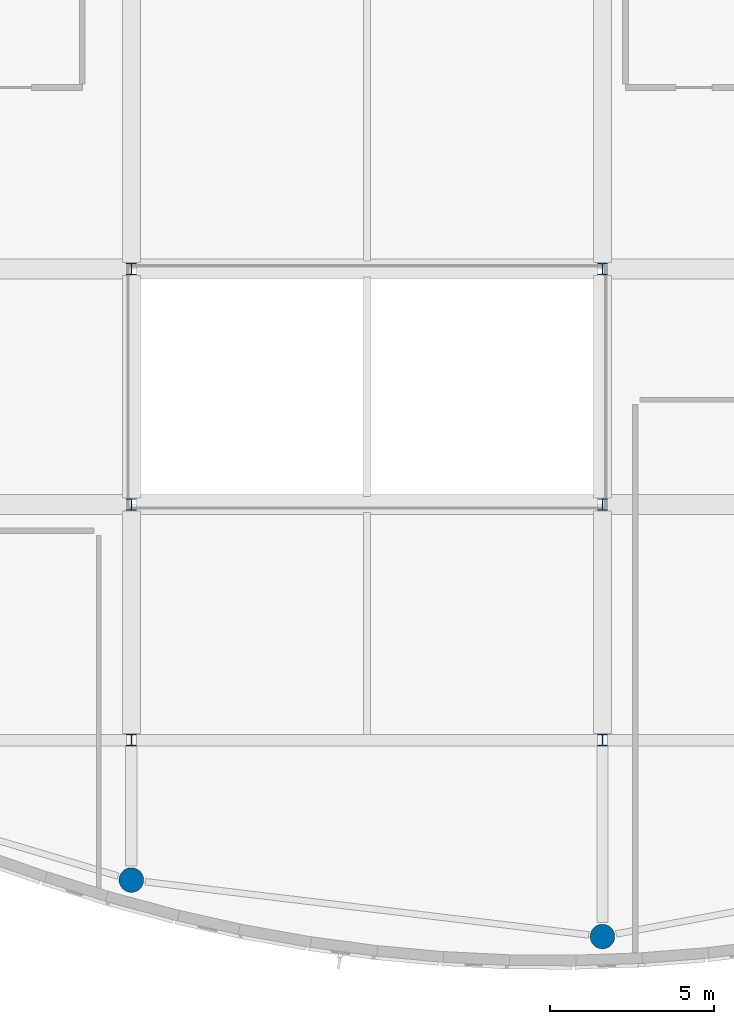
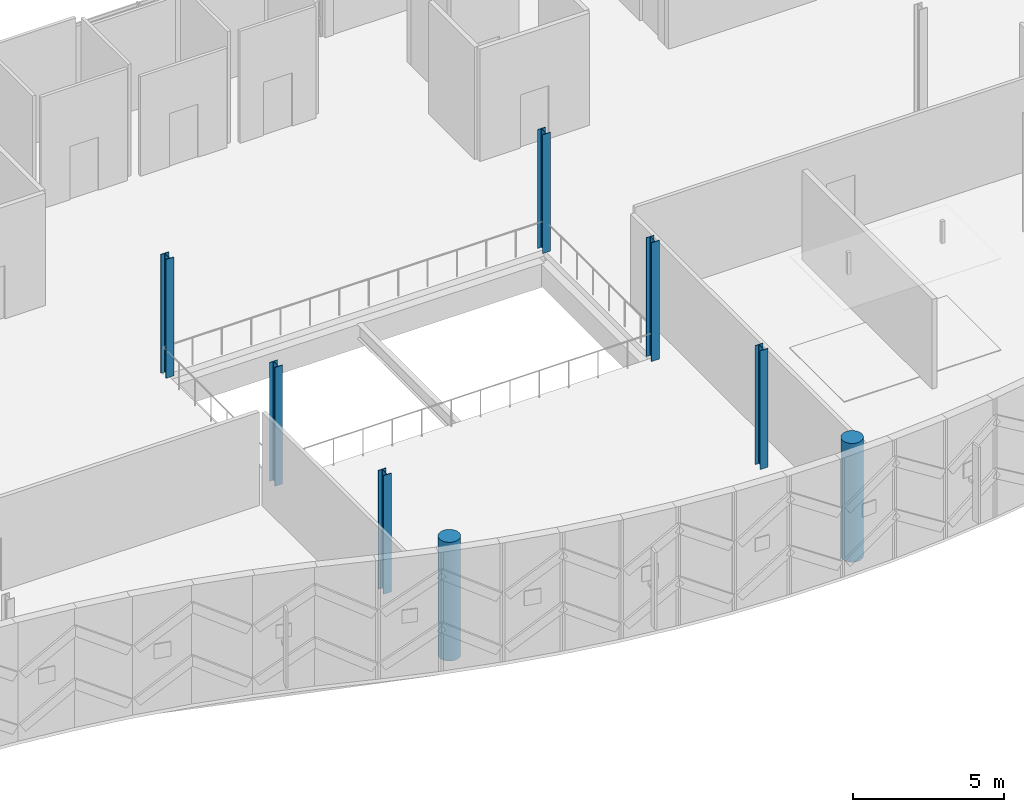
# One storey, part 2 of 193: 8 columns.
"""IFC4 building model written with IfcOpenShell, lengths in metres."""

from ifc_helpers import new_model, si_unit, direction, frame, origin, origin_2d, place, context, subcontext, project, spatial, circle, i_section, extrude, material, material_profile, profile_set, type_object, element, save


model = new_model("IFC4")

# Units and contexts
model_context = context("Model", 3, precision=1e-05, world=origin(), true_north=direction((0.0, 1.0)))
body_context = subcontext(model_context, "Body", "Model", "MODEL_VIEW")
ifc_project = project(units=[si_unit("LENGTHUNIT", "METRE"), si_unit("AREAUNIT", "SQUARE_METRE"), si_unit("VOLUMEUNIT", "CUBIC_METRE"), si_unit("PLANEANGLEUNIT", "RADIAN"), si_unit("MASSUNIT", "GRAM", prefix="KILO")], contexts=[model_context])

# Site, building, storey
site_placement = place(None, origin())
site = spatial("IfcSite", under=ifc_project, at=site_placement, CompositionType="ELEMENT")
building_placement = place(site_placement, origin())
building = spatial("IfcBuilding", under=site, at=building_placement, Name="Cendralis Lancet Convention Centre", CompositionType="ELEMENT")
storey_placement = place(building_placement, frame((0.0, 0.0, 10.199951171875)))
storey = spatial("IfcBuildingStorey", under=building, at=storey_placement, Name="L02", CompositionType="ELEMENT", Elevation=10.199951171875)

# Columns
ifc_material_1 = material(Name="Concrete G40 (C40/50)", Category="concrete")
ifc_material_profile_1 = material_profile(ifc_material_1, circle(Radius=0.375, at=origin_2d()), Name="RC D750")
ifc_profile_set_1 = profile_set([ifc_material_profile_1], Name="Concrete G40 (C40/50)")
column_type_1 = type_object("IfcColumnType", Name="STR-COL-C18", PredefinedType="COLUMN", material=ifc_profile_set_1)
for number, where, z_axis, x_axis, name in (
    (1, (43.199951171875, 2.921630859375, 0.0), (0.0, 0.0, 1.0), (1.0, 0.0, 0.0), "L02 Column C18 at 43.2,2.9"),
    (2, (57.60009765625, 1.195068359375, 0.0), (0.0, 0.0, 1.0), (1.0, 0.0, 0.0), "L02 Column C18 at 57.6,1.2"),
):
    element("IfcColumn", number, at=place(storey_placement, frame(where, z_axis=z_axis, x_axis=x_axis)), inside=storey, type_object=column_type_1, Name=name, PredefinedType="COLUMN", context=body_context, shape_type="SweptSolid", body=[
        extrude(circle(Radius=0.375, at=origin_2d()), origin(), (0.0, 0.0, 1.0), 4.800048828125),
    ])
ifc_material_2 = material(Name="Steel S355", Category="steel")
ifc_material_profile_2 = material_profile(ifc_material_2, i_section(OverallWidth=0.300048828125, OverallDepth=0.360107421875, WebThickness=0.012451171875, FlangeThickness=0.0224609375, FilletRadius=0.027099609375, at=origin_2d()), Name="HEB 360")
ifc_profile_set_2 = profile_set([ifc_material_profile_2], Name="Steel S355")
column_type_2 = type_object("IfcColumnType", Name="STR-COL-C26-INT", PredefinedType="COLUMN", material=ifc_profile_set_2)
for number, where, z_axis, x_axis, name in (
    (3, (43.199951171875, 7.199951171875, 0.0), (0.0, 0.0, 1.0), (1.0, 0.0, 0.0), "L02 Column C26 at 43.2,7.2"),
    (4, (43.199951171875, 14.39990234375, 0.0), (0.0, 0.0, 1.0), (1.0, 0.0, 0.0), "L02 Column C26 at 43.2,14.4"),
    (5, (43.199951171875, 21.60009765625, 0.0), (0.0, 0.0, 1.0), (1.0, 0.0, 0.0), "L02 Column C26 at 43.2,21.6"),
    (6, (57.60009765625, 7.199951171875, 0.0), (0.0, 0.0, 1.0), (1.0, 0.0, 0.0), "L02 Column C26 at 57.6,7.2"),
    (7, (57.60009765625, 14.39990234375, 0.0), (0.0, 0.0, 1.0), (1.0, 0.0, 0.0), "L02 Column C26 at 57.6,14.4"),
    (8, (57.60009765625, 21.60009765625, 0.0), (0.0, 0.0, 1.0), (1.0, 0.0, 0.0), "L02 Column C26 at 57.6,21.6"),
):
    element("IfcColumn", number, at=place(storey_placement, frame(where, z_axis=z_axis, x_axis=x_axis)), inside=storey, type_object=column_type_2, Name=name, PredefinedType="COLUMN", context=body_context, shape_type="SweptSolid", body=[
        extrude(i_section(OverallWidth=0.300048828125, OverallDepth=0.360107421875, WebThickness=0.012451171875, FlangeThickness=0.0224609375, FilletRadius=0.027099609375, at=origin_2d()), origin(), (0.0, 0.0, 1.0), 4.800048828125),
    ])

save(model, "model.ifc")
